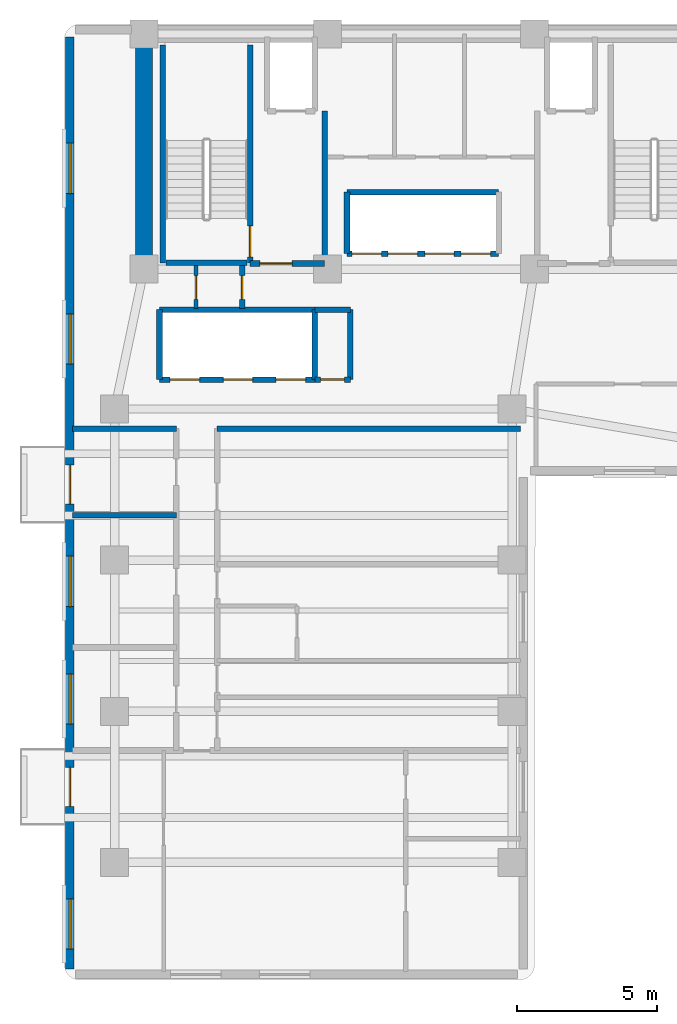
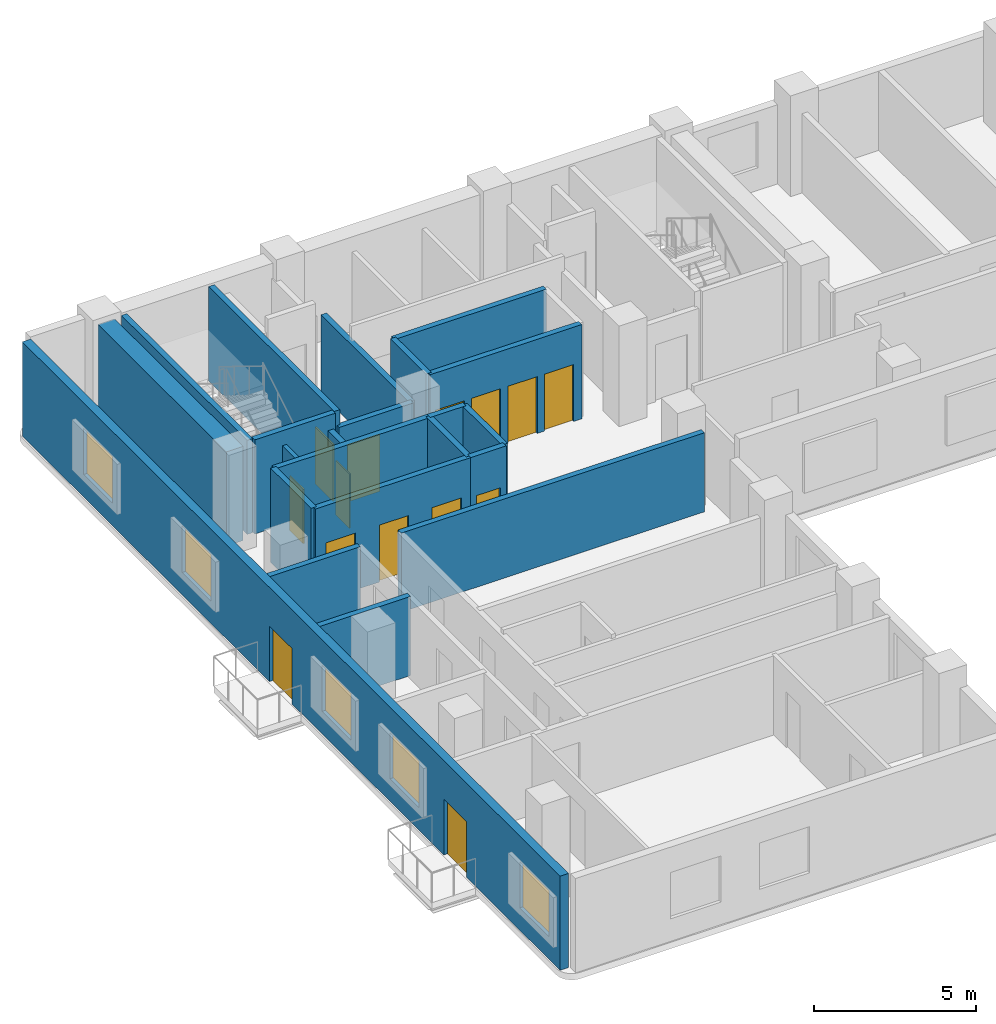
# One storey, part 3 of 7: 22 walls, 14 doors, 5 windows, 19 openings.
"""IFC4 building model written with IfcOpenShell, lengths in metres."""

import ifcopenshell
import ifcopenshell.guid

model = None  # the IFC model being written
_history = None  # IfcOwnerHistory: only IFC2X3 demands one
_inside = {}  # id of a spatial element -> (the spatial element, [elements in it])
_under = {}  # id of a project, library or spatial element -> (it, [spatial elements below it])
_declared = {}  # id of a project -> (the project, [libraries it declares])
_typed = {}  # id of a type object -> (the type object, [elements of that type])
_made_of = {}  # id of a material, layer set ... -> (it, [elements and type objects made of it])


def new_model(schema):
    """Start an empty IFC model of exactly this schema.

    Asked for "IFC4X3", IfcOpenShell would pick the latest addendum, in which some entities
    have other attributes; the version numbers below select the first issue.
    IFC2X3 requires an IfcOwnerHistory on every rooted entity: one is made here for all.
    """
    global model, _history
    if schema == "IFC4X3":
        model = ifcopenshell.file(schema_version=(4, 3, 0, 0))
    else:
        model = ifcopenshell.file(schema=schema)
    _inside.clear()
    _under.clear()
    _declared.clear()
    _typed.clear()
    _made_of.clear()
    _history = None
    if model.schema == "IFC2X3":
        org = make("IfcOrganization", Name="unknown")
        user = make(
            "IfcPersonAndOrganization",
            ThePerson=make("IfcPerson", FamilyName="unknown"),
            TheOrganization=org,
        )
        app = make(
            "IfcApplication",
            ApplicationDeveloper=org,
            Version="unknown",
            ApplicationFullName="unknown",
            ApplicationIdentifier="unknown",
        )
        _history = make(
            "IfcOwnerHistory",
            OwningUser=user,
            OwningApplication=app,
            ChangeAction="ADDED",
            CreationDate=0,
        )
    return model


def make(cls, **values):
    """One entity of the class cls with the attributes given. An attribute that is None is left unset."""
    return model.create_entity(
        cls, **{name: value for name, value in values.items() if value is not None}
    )


def rooted(cls, **values):
    """An entity with a GlobalId (a new one), such as an element, a storey or a relation."""
    return make(cls, GlobalId=ifcopenshell.guid.new(), OwnerHistory=_history, **values)


def si_unit(unit_type, name, prefix=None):
    """IfcSIUnit, for example si_unit("LENGTHUNIT", "METRE", prefix="MILLI")."""
    return make("IfcSIUnit", UnitType=unit_type, Prefix=prefix, Name=name)


def assignment(units):
    """IfcUnitAssignment: the units of a project."""
    return None if units is None else make("IfcUnitAssignment", Units=units)


def point(xyz):
    """IfcCartesianPoint."""
    return None if xyz is None else make("IfcCartesianPoint", Coordinates=xyz)


def direction(xyz):
    """IfcDirection."""
    return None if xyz is None else make("IfcDirection", DirectionRatios=xyz)


def frame(location, z_axis=None, x_axis=None):
    """IfcAxis2Placement3D, a coordinate frame: its origin and axes. An axis left out is left unset."""
    return make(
        "IfcAxis2Placement3D",
        Location=point(location),
        Axis=direction(z_axis),
        RefDirection=direction(x_axis),
    )


def frame_2d(location, x_axis=None):
    """IfcAxis2Placement2D, a coordinate frame in the plane: its origin and x axis."""
    return make(
        "IfcAxis2Placement2D", Location=point(location), RefDirection=direction(x_axis)
    )


def origin():
    """The frame at (0, 0, 0) with its axes left unset."""
    return frame((0.0, 0.0, 0.0))


def place(relative_to, where):
    """IfcLocalPlacement: puts the frame where relative to a parent placement (None: the world)."""
    return make(
        "IfcLocalPlacement", PlacementRelTo=relative_to, RelativePlacement=where
    )


def context(
    kind, dimensions, precision=None, world=None, true_north=None, identifier=None
):
    """IfcGeometricRepresentationContext, for example the 3D "Model" context."""
    return make(
        "IfcGeometricRepresentationContext",
        ContextIdentifier=identifier,
        ContextType=kind,
        CoordinateSpaceDimension=dimensions,
        Precision=precision,
        WorldCoordinateSystem=world,
        TrueNorth=true_north,
    )


def subcontext(parent, identifier, kind, view, scale=None):
    """IfcGeometricRepresentationSubContext, for example "Body" below "Model"."""
    return make(
        "IfcGeometricRepresentationSubContext",
        ContextIdentifier=identifier,
        ContextType=kind,
        ParentContext=parent,
        TargetScale=scale,
        TargetView=view,
    )


def project(units=None, contexts=None):
    """IfcProject with its units and contexts."""
    return rooted(
        "IfcProject",
        Name="project",
        RepresentationContexts=contexts,
        UnitsInContext=assignment(units),
    )


def spatial(cls, under=None, at=None, **own):
    """A site, building, storey or space (cls), placed at a placement, below another one or the project."""
    s = rooted(cls, ObjectPlacement=at, **own)
    if under is not None:
        _under.setdefault(under.id(), (under, []))[1].append(s)
    return s


def profile(cls, at=None, kind="AREA", **sizes):
    """A parametric profile (cls). Its sizes go by their IFC names, for example OverallWidth=200.0."""
    return make(cls, ProfileType=kind, Position=at, **sizes)


def rectangle(**sizes):
    """IfcRectangleProfileDef."""
    return profile("IfcRectangleProfileDef", **sizes)


def extrude(swept, where, along, depth):
    """IfcExtrudedAreaSolid: the profile swept, set in the frame where, extruded along a direction by depth."""
    return make(
        "IfcExtrudedAreaSolid",
        SweptArea=swept,
        Position=where,
        ExtrudedDirection=direction(along),
        Depth=depth,
    )


def shape(context_of_items, identifier, shape_type, items):
    """IfcShapeRepresentation: the items that make up one representation, for example the "Body"."""
    return make(
        "IfcShapeRepresentation",
        ContextOfItems=context_of_items,
        RepresentationIdentifier=identifier,
        RepresentationType=shape_type,
        Items=items,
    )


def material(Name=None, Category=None):
    """IfcMaterial."""
    return make("IfcMaterial", Name=Name, Category=Category)


def layer(
    of_material, thickness, ventilated=None, Name=None, Category=None, Priority=None
):
    """IfcMaterialLayer: one layer of a wall or slab, of a material (None: an air gap)."""
    return make(
        "IfcMaterialLayer",
        Material=of_material,
        LayerThickness=thickness,
        IsVentilated=ventilated,
        Name=Name,
        Category=Category,
        Priority=Priority,
    )


def layer_set(layers, Name=None):
    """IfcMaterialLayerSet."""
    return make("IfcMaterialLayerSet", MaterialLayers=layers, LayerSetName=Name)


def made_of(thing, what):
    """Note that an element or type object is made of a material, layer set ...; save() writes the relation."""
    if what is not None:
        _made_of.setdefault(what.id(), (what, []))[1].append(thing)
    return thing


def type_object(cls, material=None, **own):
    """A type object (cls), such as IfcWallType, which elements share."""
    return made_of(rooted(cls, **own), material)


def element(
    cls,
    number,
    at=None,
    inside=None,
    cuts=None,
    type_object=None,
    material=None,
    context=None,
    identifier="Body",
    shape_type=None,
    held_by="IfcProductDefinitionShape",
    body=None,
    shapes=None,
    **own,
):
    """One element of the class cls, such as IfcWall. Its Tag is "e" and its number.

    at: its placement. inside: the storey or other place that contains it. cuts: it is an
    opening in that element (IfcRelVoidsElement). A single representation is given by context,
    identifier, shape_type and body (its items); several are given by shapes. held_by: the class
    of the entity that holds the representations. save() writes the other relations.
    """
    e = rooted(cls, Tag="e%d" % number, ObjectPlacement=at, **own)
    if body is not None:
        shapes = [shape(context, identifier, shape_type, body)]
    if shapes is not None:
        e.Representation = make(held_by, Representations=shapes)
    if inside is not None:
        _inside.setdefault(inside.id(), (inside, []))[1].append(e)
    if cuts is not None:
        rooted(
            "IfcRelVoidsElement", RelatingBuildingElement=cuts, RelatedOpeningElement=e
        )
    if type_object is not None:
        _typed.setdefault(type_object.id(), (type_object, []))[1].append(e)
    return made_of(e, material)


def fill(opening, filler):
    """IfcRelFillsElement: the door or window that sits in an opening."""
    return rooted(
        "IfcRelFillsElement",
        RelatingOpeningElement=opening,
        RelatedBuildingElement=filler,
    )


def aggregate(whole, parts):
    """IfcRelAggregates: a whole, such as a stair, and the parts it consists of."""
    return rooted("IfcRelAggregates", RelatingObject=whole, RelatedObjects=parts)


def save(model, path):
    """Write the relations noted so far, then the file.

    IfcRelAggregates (storeys below a building ...), IfcRelContainedInSpatialStructure (elements
    in a storey), IfcRelDefinesByType, IfcRelAssociatesMaterial and IfcRelDeclares: one each for
    every whole, place, type object, material and project.
    """
    for whole, parts in _under.values():
        aggregate(whole, parts)
    for where, things in _inside.values():
        rooted(
            "IfcRelContainedInSpatialStructure",
            RelatedElements=things,
            RelatingStructure=where,
        )
    for kind, things in _typed.values():
        rooted("IfcRelDefinesByType", RelatedObjects=things, RelatingType=kind)
    for what, things in _made_of.values():
        rooted("IfcRelAssociatesMaterial", RelatedObjects=things, RelatingMaterial=what)
    for by, libraries in _declared.values():
        rooted("IfcRelDeclares", RelatingContext=by, RelatedDefinitions=libraries)
    model.write(path)


model = new_model("IFC4")

# Units and contexts
model_context = context("Model", 3, precision=1e-05, world=origin(), true_north=direction((0.0, 1.0)))
body_context = subcontext(model_context, "Body", "Model", "MODEL_VIEW")
ifc_project = project(units=[si_unit("LENGTHUNIT", "METRE"), si_unit("AREAUNIT", "SQUARE_METRE"), si_unit("VOLUMEUNIT", "CUBIC_METRE"), si_unit("PLANEANGLEUNIT", "RADIAN"), si_unit("MASSUNIT", "GRAM", prefix="KILO")], contexts=[model_context])

# Site, building, storey
site_placement = place(None, origin())
site = spatial("IfcSite", under=ifc_project, at=site_placement, CompositionType="ELEMENT")
building_placement = place(site_placement, origin())
building = spatial("IfcBuilding", under=site, at=building_placement, Name="Kuzgunbayir Cultural Tower", CompositionType="ELEMENT")
storey_placement = place(building_placement, frame((0.0, 0.0, 152.199951171875)))
storey = spatial("IfcBuildingStorey", under=building, at=storey_placement, Name="L44", CompositionType="ELEMENT", Elevation=152.199951171875)

# Wall
ifc_material_1 = material(Name="Concrete C60/75", Category="concrete")
ifc_layer_1 = layer(ifc_material_1, 0.60009765625)
ifc_layer_set_1 = layer_set([ifc_layer_1], Name="Concrete C60/75")
wall_type_1 = type_object("IfcWallType", Name="WAL-CORE-600", PredefinedType="SHEAR", material=ifc_layer_set_1)
wall_1_placement = place(storey_placement, frame((6.449951171875, 33.800048828125, 0.0), z_axis=(0.0, 0.0, 1.0), x_axis=(0.0, 1.0, 0.0)))
element("IfcWall", 1, at=wall_1_placement, inside=storey, type_object=wall_type_1, Name="L44 T1 Core West Shear Wall", PredefinedType="SHEAR", context=body_context, shape_type="SweptSolid", body=[
    extrude(rectangle(XDim=7.949951171875, YDim=0.60009765625, at=frame_2d((3.97509765625, 0.0))), origin(), (0.0, 0.0, 1.0), 3.56005859375),
])

# Wall, openings, doors, windows
ifc_material_2 = material(Name="Anatolian Cream Limestone", Category="masonry")
ifc_layer_2 = layer(ifc_material_2, 0.300048828125)
ifc_layer_set_2 = layer_set([ifc_layer_2], Name="Anatolian Cream Limestone")
wall_type_2 = type_object("IfcWallType", Name="WAL-EXT-STONE-300", PredefinedType="STANDARD", material=ifc_layer_set_2)
wall_2_placement = place(storey_placement, frame((3.800048828125, 42.10009765625, 0.0), z_axis=(0.0, 0.0, 1.0), x_axis=(0.0, -1.0, 0.0)))
wall_2 = element("IfcWall", 2, at=wall_2_placement, inside=storey, type_object=wall_type_2, Name="L44 Wing A West Limestone Wall", PredefinedType="STANDARD", context=body_context, shape_type="SweptSolid", body=[
    extrude(rectangle(XDim=33.300048828125, YDim=0.300048828125, at=frame_2d((16.64990234375, 0.0))), origin(), (0.0, 0.0, 1.0), 3.56005859375),
])
opening_1_placement = place(wall_2_placement, frame((26.10009765625, 0.0, 0.0)))
opening_1 = element("IfcOpeningElement", 3, at=opening_1_placement, cuts=wall_2, Name="Opening BD-15", PredefinedType="OPENING", context=body_context, shape_type="SweptSolid", body=[
    extrude(rectangle(XDim=1.39990234375, YDim=2.10009765625, at=frame_2d((0.699951171875, 1.050048828125))), frame((0.0, 0.16015625, 0.0), z_axis=(0.0, -1.0, 0.0), x_axis=(1.0, 0.0, 0.0)), (0.0, 0.0, 1.0), 0.320068359375),
])
opening_2_placement = place(wall_2_placement, frame((15.300048828125, 0.0, 0.0)))
opening_2 = element("IfcOpeningElement", 4, at=opening_2_placement, cuts=wall_2, Name="Opening BD-15", PredefinedType="OPENING", context=body_context, shape_type="SweptSolid", body=[
    extrude(rectangle(XDim=1.39990234375, YDim=2.10009765625, at=frame_2d((0.699951171875, 1.050048828125))), frame((0.0, 0.16015625, 0.0), z_axis=(0.0, -1.0, 0.0), x_axis=(1.0, 0.0, 0.0)), (0.0, 0.0, 1.0), 0.320068359375),
])
opening_3_placement = place(wall_2_placement, frame((22.760009765625, 0.0, 0.85009765625)))
opening_3 = element("IfcOpeningElement", 5, at=opening_3_placement, cuts=wall_2, Name="Opening WH-18", PredefinedType="OPENING", context=body_context, shape_type="SweptSolid", body=[
    extrude(rectangle(XDim=1.800048828125, YDim=1.75, at=frame_2d((0.89990234375, 0.875))), frame((0.0, 0.16015625, 0.0), z_axis=(0.0, -1.0, 0.0), x_axis=(1.0, 0.0, 0.0)), (0.0, 0.0, 1.0), 0.320068359375),
])
opening_4_placement = place(wall_2_placement, frame((18.56005859375, 0.0, 0.85009765625)))
opening_4 = element("IfcOpeningElement", 6, at=opening_4_placement, cuts=wall_2, Name="Opening WH-18", PredefinedType="OPENING", context=body_context, shape_type="SweptSolid", body=[
    extrude(rectangle(XDim=1.800048828125, YDim=1.75, at=frame_2d((0.89990234375, 0.875))), frame((0.0, 0.16015625, 0.0), z_axis=(0.0, -1.0, 0.0), x_axis=(1.0, 0.0, 0.0)), (0.0, 0.0, 1.0), 0.320068359375),
])
opening_5_placement = place(wall_2_placement, frame((30.800048828125, 0.0, 0.85009765625)))
opening_5 = element("IfcOpeningElement", 7, at=opening_5_placement, cuts=wall_2, Name="Opening WH-18", PredefinedType="OPENING", context=body_context, shape_type="SweptSolid", body=[
    extrude(rectangle(XDim=1.800048828125, YDim=1.75, at=frame_2d((0.89990234375, 0.875))), frame((0.0, 0.16015625, 0.0), z_axis=(0.0, -1.0, 0.0), x_axis=(1.0, 0.0, 0.0)), (0.0, 0.0, 1.0), 0.320068359375),
])
opening_6_placement = place(wall_2_placement, frame((9.89990234375, 0.0, 0.85009765625)))
opening_6 = element("IfcOpeningElement", 8, at=opening_6_placement, cuts=wall_2, Name="Opening WH-18", PredefinedType="OPENING", context=body_context, shape_type="SweptSolid", body=[
    extrude(rectangle(XDim=1.800048828125, YDim=1.75, at=frame_2d((0.89990234375, 0.875))), frame((0.0, 0.16015625, 0.0), z_axis=(0.0, -1.0, 0.0), x_axis=(1.0, 0.0, 0.0)), (0.0, 0.0, 1.0), 0.320068359375),
])
opening_7_placement = place(wall_2_placement, frame((3.800048828125, 0.0, 0.85009765625)))
opening_7 = element("IfcOpeningElement", 9, at=opening_7_placement, cuts=wall_2, Name="Opening WH-18", PredefinedType="OPENING", context=body_context, shape_type="SweptSolid", body=[
    extrude(rectangle(XDim=1.800048828125, YDim=1.75, at=frame_2d((0.89990234375, 0.875))), frame((0.0, 0.16015625, 0.0), z_axis=(0.0, -1.0, 0.0), x_axis=(1.0, 0.0, 0.0)), (0.0, 0.0, 1.0), 0.320068359375),
])
ifc_material_3 = material(Name="Thermally Broken Glazed Aluminium", Category="aluminium")
door_type_1 = type_object("IfcDoorType", Name="DR-BALCONY-150", OperationType="SLIDING_TO_RIGHT", PredefinedType="DOOR", material=ifc_material_3)
door_1_placement = place(opening_1_placement, origin())
door_1 = element("IfcDoor", 10, at=door_1_placement, inside=storey, type_object=door_type_1, Name="L44 West Balcony Sliding Door BAL-L44-WA1", OperationType="SLIDING_TO_RIGHT", OverallHeight=2.10009765625, OverallWidth=1.39990234375, PredefinedType="DOOR", context=body_context, shape_type="SweptSolid", body=[
    extrude(rectangle(XDim=1.39990234375, YDim=2.10009765625, at=frame_2d((0.699951171875, 1.050048828125))), frame((0.0, 0.02490234375, 0.0), z_axis=(0.0, -1.0, 0.0), x_axis=(1.0, 0.0, 0.0)), (0.0, 0.0, 1.0), 0.050048828125),
])
fill(opening_1, door_1)
door_2_placement = place(opening_2_placement, origin())
door_2 = element("IfcDoor", 11, at=door_2_placement, inside=storey, type_object=door_type_1, Name="L44 West Balcony Sliding Door BAL-L44-WA3", OperationType="SLIDING_TO_RIGHT", OverallHeight=2.10009765625, OverallWidth=1.39990234375, PredefinedType="DOOR", context=body_context, shape_type="SweptSolid", body=[
    extrude(rectangle(XDim=1.39990234375, YDim=2.10009765625, at=frame_2d((0.699951171875, 1.050048828125))), frame((0.0, 0.02490234375, 0.0), z_axis=(0.0, -1.0, 0.0), x_axis=(1.0, 0.0, 0.0)), (0.0, 0.0, 1.0), 0.050048828125),
])
fill(opening_2, door_2)
ifc_material_4 = material(Name="Solar-Control Triple Glazing", Category="glass")
window_type = type_object("IfcWindowType", Name="WIN-HOTEL-18", PartitioningType="SINGLE_PANEL", PredefinedType="WINDOW", material=ifc_material_4)
window_1_placement = place(opening_3_placement, origin())
window_1 = element("IfcWindow", 12, at=window_1_placement, inside=storey, type_object=window_type, Name="L44 WAW Facade Window 2", OverallHeight=1.75, OverallWidth=1.800048828125, PartitioningType="SINGLE_PANEL", PredefinedType="WINDOW", context=body_context, shape_type="SweptSolid", body=[
    extrude(rectangle(XDim=1.800048828125, YDim=1.75, at=frame_2d((0.89990234375, 0.875))), frame((0.0, 0.030029296875, 0.0), z_axis=(0.0, -1.0, 0.0), x_axis=(1.0, 0.0, 0.0)), (0.0, 0.0, 1.0), 0.06005859375),
])
fill(opening_3, window_1)
window_2_placement = place(opening_4_placement, origin())
window_2 = element("IfcWindow", 13, at=window_2_placement, inside=storey, type_object=window_type, Name="L44 WAW Facade Window 3", OverallHeight=1.75, OverallWidth=1.800048828125, PartitioningType="SINGLE_PANEL", PredefinedType="WINDOW", context=body_context, shape_type="SweptSolid", body=[
    extrude(rectangle(XDim=1.800048828125, YDim=1.75, at=frame_2d((0.89990234375, 0.875))), frame((0.0, 0.030029296875, 0.0), z_axis=(0.0, -1.0, 0.0), x_axis=(1.0, 0.0, 0.0)), (0.0, 0.0, 1.0), 0.06005859375),
])
fill(opening_4, window_2)
window_3_placement = place(opening_5_placement, origin())
window_3 = element("IfcWindow", 14, at=window_3_placement, inside=storey, type_object=window_type, Name="L44 WAW Facade Window 9", OverallHeight=1.75, OverallWidth=1.800048828125, PartitioningType="SINGLE_PANEL", PredefinedType="WINDOW", context=body_context, shape_type="SweptSolid", body=[
    extrude(rectangle(XDim=1.800048828125, YDim=1.75, at=frame_2d((0.89990234375, 0.875))), frame((0.0, 0.030029296875, 0.0), z_axis=(0.0, -1.0, 0.0), x_axis=(1.0, 0.0, 0.0)), (0.0, 0.0, 1.0), 0.06005859375),
])
fill(opening_5, window_3)
window_4_placement = place(opening_6_placement, origin())
window_4 = element("IfcWindow", 15, at=window_4_placement, inside=storey, type_object=window_type, Name="L44 WAW Facade Window 10", OverallHeight=1.75, OverallWidth=1.800048828125, PartitioningType="SINGLE_PANEL", PredefinedType="WINDOW", context=body_context, shape_type="SweptSolid", body=[
    extrude(rectangle(XDim=1.800048828125, YDim=1.75, at=frame_2d((0.89990234375, 0.875))), frame((0.0, 0.030029296875, 0.0), z_axis=(0.0, -1.0, 0.0), x_axis=(1.0, 0.0, 0.0)), (0.0, 0.0, 1.0), 0.06005859375),
])
fill(opening_6, window_4)
window_5_placement = place(opening_7_placement, origin())
window_5 = element("IfcWindow", 16, at=window_5_placement, inside=storey, type_object=window_type, Name="L44 WAW Facade Window 11", OverallHeight=1.75, OverallWidth=1.800048828125, PartitioningType="SINGLE_PANEL", PredefinedType="WINDOW", context=body_context, shape_type="SweptSolid", body=[
    extrude(rectangle(XDim=1.800048828125, YDim=1.75, at=frame_2d((0.89990234375, 0.875))), frame((0.0, 0.030029296875, 0.0), z_axis=(0.0, -1.0, 0.0), x_axis=(1.0, 0.0, 0.0)), (0.0, 0.0, 1.0), 0.06005859375),
])
fill(opening_7, window_5)

# Wall, opening, door
ifc_material_5 = material(Name="Acoustic Double-Stud Drywall", Category="gypsum")
ifc_layer_3 = layer(ifc_material_5, 0.14990234375)
ifc_layer_set_3 = layer_set([ifc_layer_3], Name="Acoustic Double-Stud Drywall")
wall_type_3 = type_object("IfcWallType", Name="WAL-PART-ACOUSTIC-150", PredefinedType="PARTITIONING", material=ifc_layer_set_3)
wall_3_placement = place(storey_placement, frame((8.300048828125, 32.39990234375, 0.0), z_axis=(0.0, 0.0, 1.0), x_axis=(0.0, 1.0, 0.0)))
wall_3 = element("IfcWall", 17, at=wall_3_placement, inside=storey, type_object=wall_type_3, Name="L44 West Core Closet Divider", PredefinedType="PARTITIONING", context=body_context, shape_type="SweptSolid", body=[
    extrude(rectangle(XDim=1.52001953125, YDim=0.14990234375, at=frame_2d((0.760009765625, 0.0))), origin(), (0.0, 0.0, 1.0), 2.989990234375),
])
opening_8_placement = place(wall_3_placement, frame((0.320068359375, 0.0, 0.0)))
opening_8 = element("IfcOpeningElement", 18, at=opening_8_placement, cuts=wall_3, Name="Opening DR-RSR-60", PredefinedType="OPENING", context=body_context, shape_type="SweptSolid", body=[
    extrude(rectangle(XDim=0.85009765625, YDim=2.050048828125, at=frame_2d((0.425048828125, 1.02490234375))), frame((0.0, 0.0849609375, 0.0), z_axis=(0.0, -1.0, 0.0), x_axis=(1.0, 0.0, 0.0)), (0.0, 0.0, 1.0), 0.169921875),
])
ifc_material_6 = material(Name="Steel Access Leaf", Category="steel")
door_type_2 = type_object("IfcDoorType", Name="DR-RISER-60", OperationType="NOTDEFINED", PredefinedType="DOOR", material=ifc_material_6)
door_3_placement = place(opening_8_placement, origin())
door_3 = element("IfcDoor", 19, at=door_3_placement, inside=storey, type_object=door_type_2, Name="L44 Sub-Meter Closet Door", OperationType="SINGLE_SWING_RIGHT", OverallHeight=2.050048828125, OverallWidth=0.85009765625, PredefinedType="DOOR", context=body_context, shape_type="SweptSolid", body=[
    extrude(rectangle(XDim=0.85009765625, YDim=2.050048828125, at=frame_2d((0.425048828125, 1.02490234375))), frame((0.0, 0.02490234375, 0.0), z_axis=(0.0, -1.0, 0.0), x_axis=(1.0, 0.0, 0.0)), (0.0, 0.0, 1.0), 0.050048828125),
])
fill(opening_8, door_3)

# Wall
ifc_material_7 = material(Name="Aerated Concrete Blockwork", Category="masonry")
ifc_layer_4 = layer(ifc_material_7, 0.199951171875)
ifc_layer_set_4 = layer_set([ifc_layer_4], Name="Aerated Concrete Blockwork")
wall_type_4 = type_object("IfcWallType", Name="WAL-PART-FIRE-200", PredefinedType="PARTITIONING", material=ifc_layer_set_4)
wall_4_placement = place(storey_placement, frame((12.89990234375, 34.0, 0.0), z_axis=(0.0, 0.0, 1.0), x_axis=(0.0, 1.0, 0.0)))
element("IfcWall", 20, at=wall_4_placement, inside=storey, type_object=wall_type_4, Name="L44 FFL-1 Lobby East Fire Wall", PredefinedType="PARTITIONING", context=body_context, shape_type="SweptSolid", body=[
    extrude(rectangle(XDim=5.449951171875, YDim=0.199951171875, at=frame_2d((2.72509765625, 0.0))), origin(), (0.0, 0.0, 1.0), 2.989990234375),
])

# Wall, opening, door
wall_5_placement = place(storey_placement, frame((10.239990234375, 34.0, 0.0), z_axis=(0.0, 0.0, 1.0), x_axis=(1.0, 0.0, 0.0)))
wall_5 = element("IfcWall", 21, at=wall_5_placement, inside=storey, type_object=wall_type_4, Name="L44 FFL-1 Lobby South Fire Wall", PredefinedType="PARTITIONING", context=body_context, shape_type="SweptSolid", body=[
    extrude(rectangle(XDim=2.659912109375, YDim=0.199951171875, at=frame_2d((1.330078125, 0.0))), origin(), (0.0, 0.0, 1.0), 2.989990234375),
])
opening_9_placement = place(wall_5_placement, frame((0.35009765625, 0.0, 0.0)))
opening_9 = element("IfcOpeningElement", 22, at=opening_9_placement, cuts=wall_5, Name="Opening DR-FFL-90", PredefinedType="OPENING", context=body_context, shape_type="SweptSolid", body=[
    extrude(rectangle(XDim=1.14990234375, YDim=2.14990234375, at=frame_2d((0.574951171875, 1.074951171875))), frame((0.0, 0.10986328125, 0.0), z_axis=(0.0, -1.0, 0.0), x_axis=(1.0, 0.0, 0.0)), (0.0, 0.0, 1.0), 0.219970703125),
])
ifc_material_8 = material(Name="Steel S355J2", Category="steel")
door_type_3 = type_object("IfcDoorType", Name="DR-FFL-90", OperationType="NOTDEFINED", PredefinedType="DOOR", material=ifc_material_8)
door_4_placement = place(opening_9_placement, origin())
door_4 = element("IfcDoor", 23, at=door_4_placement, inside=storey, type_object=door_type_3, Name="L44 Firefighting Lobby 1 Door", OperationType="SINGLE_SWING_LEFT", OverallHeight=2.14990234375, OverallWidth=1.14990234375, PredefinedType="DOOR", context=body_context, shape_type="SweptSolid", body=[
    extrude(rectangle(XDim=1.14990234375, YDim=2.14990234375, at=frame_2d((0.574951171875, 1.074951171875))), frame((0.0, 0.02490234375, 0.0), z_axis=(0.0, -1.0, 0.0), x_axis=(1.0, 0.0, 0.0)), (0.0, 0.0, 1.0), 0.050048828125),
])
fill(opening_9, door_4)

wall_6_placement = place(storey_placement, frame((9.949951171875, 32.39990234375, 0.0), z_axis=(0.0, 0.0, 1.0), x_axis=(0.0, 1.0, 0.0)))
wall_6 = element("IfcWall", 24, at=wall_6_placement, inside=storey, type_object=wall_type_4, Name="L44 West Core Service Closet Wall", PredefinedType="PARTITIONING", context=body_context, shape_type="SweptSolid", body=[
    extrude(rectangle(XDim=1.52001953125, YDim=0.199951171875, at=frame_2d((0.760009765625, 0.0))), origin(), (0.0, 0.0, 1.0), 2.989990234375),
])
opening_10_placement = place(wall_6_placement, frame((0.320068359375, 0.0, 0.0)))
opening_10 = element("IfcOpeningElement", 25, at=opening_10_placement, cuts=wall_6, Name="Opening DR-RSR-60", PredefinedType="OPENING", context=body_context, shape_type="SweptSolid", body=[
    extrude(rectangle(XDim=0.85009765625, YDim=2.050048828125, at=frame_2d((0.425048828125, 1.02490234375))), frame((0.0, 0.10986328125, 0.0), z_axis=(0.0, -1.0, 0.0), x_axis=(1.0, 0.0, 0.0)), (0.0, 0.0, 1.0), 0.219970703125),
])
door_5_placement = place(opening_10_placement, origin())
door_5 = element("IfcDoor", 26, at=door_5_placement, inside=storey, type_object=door_type_2, Name="L44 Cleaner Store Door", OperationType="SINGLE_SWING_LEFT", OverallHeight=2.050048828125, OverallWidth=0.85009765625, PredefinedType="DOOR", context=body_context, shape_type="SweptSolid", body=[
    extrude(rectangle(XDim=0.85009765625, YDim=2.050048828125, at=frame_2d((0.425048828125, 1.02490234375))), frame((0.0, 0.02490234375, 0.0), z_axis=(0.0, -1.0, 0.0), x_axis=(1.0, 0.0, 0.0)), (0.0, 0.0, 1.0), 0.050048828125),
])
fill(opening_10, door_5)

wall_7_placement = place(storey_placement, frame((12.550048828125, 29.85009765625, 0.0), z_axis=(0.0, 0.0, 1.0), x_axis=(1.0, 0.0, 0.0)))
wall_7 = element("IfcWall", 27, at=wall_7_placement, inside=storey, type_object=wall_type_4, Name="L44 Center Core Switchgear South Wall", PredefinedType="PARTITIONING", context=body_context, shape_type="SweptSolid", body=[
    extrude(rectangle(XDim=1.27001953125, YDim=0.199951171875, at=frame_2d((0.635009765625, 0.0))), origin(), (0.0, 0.0, 1.0), 3.56005859375),
])
opening_11_placement = place(wall_7_placement, frame((0.2099609375, 0.0, 0.0)))
opening_11 = element("IfcOpeningElement", 28, at=opening_11_placement, cuts=wall_7, Name="Opening DR-RSR-60", PredefinedType="OPENING", context=body_context, shape_type="SweptSolid", body=[
    extrude(rectangle(XDim=0.85009765625, YDim=2.050048828125, at=frame_2d((0.425048828125, 1.02490234375))), frame((0.0, 0.10986328125, 0.0), z_axis=(0.0, -1.0, 0.0), x_axis=(1.0, 0.0, 0.0)), (0.0, 0.0, 1.0), 0.219970703125),
])
door_6_placement = place(opening_11_placement, origin())
door_6 = element("IfcDoor", 29, at=door_6_placement, inside=storey, type_object=door_type_2, Name="L44 Telecom Closet Door", OperationType="SINGLE_SWING_LEFT", OverallHeight=2.050048828125, OverallWidth=0.85009765625, PredefinedType="DOOR", context=body_context, shape_type="SweptSolid", body=[
    extrude(rectangle(XDim=0.85009765625, YDim=2.050048828125, at=frame_2d((0.425048828125, 1.02490234375))), frame((0.0, 0.02490234375, 0.0), z_axis=(0.0, -1.0, 0.0), x_axis=(1.0, 0.0, 0.0)), (0.0, 0.0, 1.0), 0.050048828125),
])
fill(opening_11, door_6)

# Walls
wall_8_placement = place(storey_placement, frame((13.820068359375, 29.85009765625, 0.0), z_axis=(0.0, 0.0, 1.0), x_axis=(0.0, 1.0, 0.0)))
element("IfcWall", 30, at=wall_8_placement, inside=storey, type_object=wall_type_4, Name="L44 Center Core Switchgear East Wall", PredefinedType="PARTITIONING", context=body_context, shape_type="SweptSolid", body=[
    extrude(rectangle(XDim=2.5, YDim=0.199951171875, at=frame_2d((1.25, 0.0))), origin(), (0.0, 0.0, 1.0), 3.56005859375),
])
wall_9_placement = place(storey_placement, frame((12.550048828125, 32.35009765625, 0.0), z_axis=(0.0, 0.0, 1.0), x_axis=(1.0, 0.0, 0.0)))
element("IfcWall", 31, at=wall_9_placement, inside=storey, type_object=wall_type_4, Name="L44 Center Core Switchgear North Wall", PredefinedType="PARTITIONING", context=body_context, shape_type="SweptSolid", body=[
    extrude(rectangle(XDim=1.27001953125, YDim=0.199951171875, at=frame_2d((0.635009765625, 0.0))), origin(), (0.0, 0.0, 1.0), 3.56005859375),
])
wall_10_placement = place(storey_placement, frame((3.89990234375, 28.10009765625, 0.0), z_axis=(0.0, 0.0, 1.0), x_axis=(1.0, 0.0, 0.0)))
element("IfcWall", 32, at=wall_10_placement, inside=storey, type_object=wall_type_4, Name="L44 North West Partition", PredefinedType="PARTITIONING", context=body_context, shape_type="SweptSolid", body=[
    extrude(rectangle(XDim=3.7001953125, YDim=0.199951171875, at=frame_2d((1.85009765625, 0.0))), origin(), (0.0, 0.0, 1.0), 2.989990234375),
])
wall_11_placement = place(storey_placement, frame((9.06005859375, 28.10009765625, 0.0), z_axis=(0.0, 0.0, 1.0), x_axis=(1.0, 0.0, 0.0)))
element("IfcWall", 33, at=wall_11_placement, inside=storey, type_object=wall_type_4, Name="L44 North East Partition", PredefinedType="PARTITIONING", context=body_context, shape_type="SweptSolid", body=[
    extrude(rectangle(XDim=10.83984375, YDim=0.199951171875, at=frame_2d((5.419921875, 0.0))), origin(), (0.0, 0.0, 1.0), 2.989990234375),
])
wall_12_placement = place(storey_placement, frame((3.89990234375, 25.0, 0.0), z_axis=(0.0, 0.0, 1.0), x_axis=(1.0, 0.0, 0.0)))
element("IfcWall", 34, at=wall_12_placement, inside=storey, type_object=wall_type_4, Name="L44 West Party Wall 2", PredefinedType="PARTITIONING", context=body_context, shape_type="SweptSolid", body=[
    extrude(rectangle(XDim=3.7001953125, YDim=0.199951171875, at=frame_2d((1.85009765625, 0.0))), origin(), (0.0, 0.0, 1.0), 2.989990234375),
])

# Wall, openings, doors
ifc_material_9 = material(Name="Concrete C40/50", Category="concrete")
ifc_layer_5 = layer(ifc_material_9, 0.199951171875)
ifc_layer_set_5 = layer_set([ifc_layer_5], Name="Concrete C40/50")
wall_type_5 = type_object("IfcWallType", Name="WAL-SHAFT-200", PredefinedType="MOVABLE", material=ifc_layer_set_5)
wall_13_placement = place(storey_placement, frame((7.0, 29.85009765625, 0.0), z_axis=(0.0, 0.0, 1.0), x_axis=(1.0, 0.0, 0.0)))
wall_13 = element("IfcWall", 35, at=wall_13_placement, inside=storey, type_object=wall_type_5, Name="L44 High-Rise Lift Shaft South Wall", PredefinedType="MOVABLE", context=body_context, shape_type="SweptSolid", body=[
    extrude(rectangle(XDim=5.550048828125, YDim=0.199951171875, at=frame_2d((2.77490234375, 0.0))), origin(), (0.0, 0.0, 1.0), 3.56005859375),
])
opening_12_placement = place(wall_13_placement, frame((0.3798828125, 0.0, 0.0)))
opening_12 = element("IfcOpeningElement", 36, at=opening_12_placement, cuts=wall_13, Name="Opening LD", PredefinedType="OPENING", context=body_context, shape_type="SweptSolid", body=[
    extrude(rectangle(XDim=1.050048828125, YDim=2.14990234375, at=frame_2d((0.52490234375, 1.074951171875))), frame((0.0, 0.10986328125, 0.0), z_axis=(0.0, -1.0, 0.0), x_axis=(1.0, 0.0, 0.0)), (0.0, 0.0, 1.0), 0.219970703125),
])
opening_13_placement = place(wall_13_placement, frame((2.280029296875, 0.0, 0.0)))
opening_13 = element("IfcOpeningElement", 37, at=opening_13_placement, cuts=wall_13, Name="Opening LD", PredefinedType="OPENING", context=body_context, shape_type="SweptSolid", body=[
    extrude(rectangle(XDim=1.050048828125, YDim=2.14990234375, at=frame_2d((0.52490234375, 1.074951171875))), frame((0.0, 0.10986328125, 0.0), z_axis=(0.0, -1.0, 0.0), x_axis=(1.0, 0.0, 0.0)), (0.0, 0.0, 1.0), 0.219970703125),
])
opening_14_placement = place(wall_13_placement, frame((4.169921875, 0.0, 0.0)))
opening_14 = element("IfcOpeningElement", 38, at=opening_14_placement, cuts=wall_13, Name="Opening LD", PredefinedType="OPENING", context=body_context, shape_type="SweptSolid", body=[
    extrude(rectangle(XDim=1.050048828125, YDim=2.14990234375, at=frame_2d((0.52490234375, 1.074951171875))), frame((0.0, 0.10986328125, 0.0), z_axis=(0.0, -1.0, 0.0), x_axis=(1.0, 0.0, 0.0)), (0.0, 0.0, 1.0), 0.219970703125),
])
ifc_material_10 = material(Name="Brushed Stainless Steel", Category="steel")
door_type_4 = type_object("IfcDoorType", Name="DR-LIFT-LANDING", OperationType="SLIDING_TO_LEFT", PredefinedType="DOOR", material=ifc_material_10)
door_7_placement = place(opening_12_placement, origin())
door_7 = element("IfcDoor", 39, at=door_7_placement, inside=storey, type_object=door_type_4, Name="L44 Lift PH-1 Landing Door", OperationType="SLIDING_TO_LEFT", OverallHeight=2.14990234375, OverallWidth=1.050048828125, PredefinedType="DOOR", context=body_context, shape_type="SweptSolid", body=[
    extrude(rectangle(XDim=1.050048828125, YDim=2.14990234375, at=frame_2d((0.52490234375, 1.074951171875))), frame((0.0, 0.02490234375, 0.0), z_axis=(0.0, -1.0, 0.0), x_axis=(1.0, 0.0, 0.0)), (0.0, 0.0, 1.0), 0.050048828125),
])
fill(opening_12, door_7)
door_8_placement = place(opening_13_placement, origin())
door_8 = element("IfcDoor", 40, at=door_8_placement, inside=storey, type_object=door_type_4, Name="L44 Lift PH-2 Landing Door", OperationType="SLIDING_TO_LEFT", OverallHeight=2.14990234375, OverallWidth=1.050048828125, PredefinedType="DOOR", context=body_context, shape_type="SweptSolid", body=[
    extrude(rectangle(XDim=1.050048828125, YDim=2.14990234375, at=frame_2d((0.52490234375, 1.074951171875))), frame((0.0, 0.02490234375, 0.0), z_axis=(0.0, -1.0, 0.0), x_axis=(1.0, 0.0, 0.0)), (0.0, 0.0, 1.0), 0.050048828125),
])
fill(opening_13, door_8)
door_9_placement = place(opening_14_placement, origin())
door_9 = element("IfcDoor", 41, at=door_9_placement, inside=storey, type_object=door_type_4, Name="L44 Lift PH-3 Landing Door", OperationType="SLIDING_TO_LEFT", OverallHeight=2.14990234375, OverallWidth=1.050048828125, PredefinedType="DOOR", context=body_context, shape_type="SweptSolid", body=[
    extrude(rectangle(XDim=1.050048828125, YDim=2.14990234375, at=frame_2d((0.52490234375, 1.074951171875))), frame((0.0, 0.02490234375, 0.0), z_axis=(0.0, -1.0, 0.0), x_axis=(1.0, 0.0, 0.0)), (0.0, 0.0, 1.0), 0.050048828125),
])
fill(opening_14, door_9)

# Walls
wall_14_placement = place(storey_placement, frame((7.0, 32.35009765625, 0.0), z_axis=(0.0, 0.0, 1.0), x_axis=(1.0, 0.0, 0.0)))
element("IfcWall", 42, at=wall_14_placement, inside=storey, type_object=wall_type_5, Name="L44 High-Rise Lift Shaft North Wall", PredefinedType="MOVABLE", context=body_context, shape_type="SweptSolid", body=[
    extrude(rectangle(XDim=5.550048828125, YDim=0.199951171875, at=frame_2d((2.77490234375, 0.0))), origin(), (0.0, 0.0, 1.0), 3.56005859375),
])
for number, where, z_axis, x_axis, name in (
    (43, (7.0, 29.85009765625, 0.0), (0.0, 0.0, 1.0), (0.0, 1.0, 0.0), "L44 High-Rise Lift Shaft West Wall"),
    (44, (12.550048828125, 29.85009765625, 0.0), (0.0, 0.0, 1.0), (0.0, 1.0, 0.0), "L44 High-Rise Lift Shaft East Wall"),
):
    element("IfcWall", number, at=place(storey_placement, frame(where, z_axis=z_axis, x_axis=x_axis)), inside=storey, type_object=wall_type_5, Name=name, PredefinedType="MOVABLE", context=body_context, shape_type="SweptSolid", body=[
        extrude(rectangle(XDim=2.5, YDim=0.199951171875, at=frame_2d((1.25, 0.0))), origin(), (0.0, 0.0, 1.0), 3.56005859375),
    ])

# Wall, openings, doors
wall_15_placement = place(storey_placement, frame((13.699951171875, 34.35009765625, 0.0), z_axis=(0.0, 0.0, 1.0), x_axis=(1.0, 0.0, 0.0)))
wall_15 = element("IfcWall", 45, at=wall_15_placement, inside=storey, type_object=wall_type_5, Name="L44 Mid-Rise Lift Front Wall", PredefinedType="MOVABLE", context=body_context, shape_type="SweptSolid", body=[
    extrude(rectangle(XDim=5.420166015625, YDim=0.199951171875, at=frame_2d((2.7099609375, 0.0))), origin(), (0.0, 0.0, 1.0), 3.56005859375),
])
opening_15_placement = place(wall_15_placement, frame((0.179931640625, 0.0, 0.0)))
opening_15 = element("IfcOpeningElement", 46, at=opening_15_placement, cuts=wall_15, Name="Opening LD", PredefinedType="OPENING", context=body_context, shape_type="SweptSolid", body=[
    extrude(rectangle(XDim=1.050048828125, YDim=2.14990234375, at=frame_2d((0.52490234375, 1.074951171875))), frame((0.0, 0.10986328125, 0.0), z_axis=(0.0, -1.0, 0.0), x_axis=(1.0, 0.0, 0.0)), (0.0, 0.0, 1.0), 0.219970703125),
])
opening_16_placement = place(wall_15_placement, frame((1.469970703125, 0.0, 0.0)))
opening_16 = element("IfcOpeningElement", 47, at=opening_16_placement, cuts=wall_15, Name="Opening LD", PredefinedType="OPENING", context=body_context, shape_type="SweptSolid", body=[
    extrude(rectangle(XDim=1.050048828125, YDim=2.14990234375, at=frame_2d((0.52490234375, 1.074951171875))), frame((0.0, 0.10986328125, 0.0), z_axis=(0.0, -1.0, 0.0), x_axis=(1.0, 0.0, 0.0)), (0.0, 0.0, 1.0), 0.219970703125),
])
opening_17_placement = place(wall_15_placement, frame((2.780029296875, 0.0, 0.0)))
opening_17 = element("IfcOpeningElement", 48, at=opening_17_placement, cuts=wall_15, Name="Opening LD", PredefinedType="OPENING", context=body_context, shape_type="SweptSolid", body=[
    extrude(rectangle(XDim=1.050048828125, YDim=2.14990234375, at=frame_2d((0.52490234375, 1.074951171875))), frame((0.0, 0.10986328125, 0.0), z_axis=(0.0, -1.0, 0.0), x_axis=(1.0, 0.0, 0.0)), (0.0, 0.0, 1.0), 0.219970703125),
])
opening_18_placement = place(wall_15_placement, frame((4.080078125, 0.0, 0.0)))
opening_18 = element("IfcOpeningElement", 49, at=opening_18_placement, cuts=wall_15, Name="Opening LD", PredefinedType="OPENING", context=body_context, shape_type="SweptSolid", body=[
    extrude(rectangle(XDim=1.050048828125, YDim=2.14990234375, at=frame_2d((0.52490234375, 1.074951171875))), frame((0.0, 0.10986328125, 0.0), z_axis=(0.0, -1.0, 0.0), x_axis=(1.0, 0.0, 0.0)), (0.0, 0.0, 1.0), 0.219970703125),
])
door_10_placement = place(opening_15_placement, origin())
door_10 = element("IfcDoor", 50, at=door_10_placement, inside=storey, type_object=door_type_4, Name="L44 Lift PM-1 Landing Door", OperationType="SLIDING_TO_LEFT", OverallHeight=2.14990234375, OverallWidth=1.050048828125, PredefinedType="DOOR", context=body_context, shape_type="SweptSolid", body=[
    extrude(rectangle(XDim=1.050048828125, YDim=2.14990234375, at=frame_2d((0.52490234375, 1.074951171875))), frame((0.0, 0.02490234375, 0.0), z_axis=(0.0, -1.0, 0.0), x_axis=(1.0, 0.0, 0.0)), (0.0, 0.0, 1.0), 0.050048828125),
])
fill(opening_15, door_10)
door_11_placement = place(opening_16_placement, origin())
door_11 = element("IfcDoor", 51, at=door_11_placement, inside=storey, type_object=door_type_4, Name="L44 Lift PM-2 Landing Door", OperationType="SLIDING_TO_LEFT", OverallHeight=2.14990234375, OverallWidth=1.050048828125, PredefinedType="DOOR", context=body_context, shape_type="SweptSolid", body=[
    extrude(rectangle(XDim=1.050048828125, YDim=2.14990234375, at=frame_2d((0.52490234375, 1.074951171875))), frame((0.0, 0.02490234375, 0.0), z_axis=(0.0, -1.0, 0.0), x_axis=(1.0, 0.0, 0.0)), (0.0, 0.0, 1.0), 0.050048828125),
])
fill(opening_16, door_11)
door_12_placement = place(opening_17_placement, origin())
door_12 = element("IfcDoor", 52, at=door_12_placement, inside=storey, type_object=door_type_4, Name="L44 Lift PM-3 Landing Door", OperationType="SLIDING_TO_LEFT", OverallHeight=2.14990234375, OverallWidth=1.050048828125, PredefinedType="DOOR", context=body_context, shape_type="SweptSolid", body=[
    extrude(rectangle(XDim=1.050048828125, YDim=2.14990234375, at=frame_2d((0.52490234375, 1.074951171875))), frame((0.0, 0.02490234375, 0.0), z_axis=(0.0, -1.0, 0.0), x_axis=(1.0, 0.0, 0.0)), (0.0, 0.0, 1.0), 0.050048828125),
])
fill(opening_17, door_12)
door_13_placement = place(opening_18_placement, origin())
door_13 = element("IfcDoor", 53, at=door_13_placement, inside=storey, type_object=door_type_4, Name="L44 Lift PM-4 Landing Door", OperationType="SLIDING_TO_LEFT", OverallHeight=2.14990234375, OverallWidth=1.050048828125, PredefinedType="DOOR", context=body_context, shape_type="SweptSolid", body=[
    extrude(rectangle(XDim=1.050048828125, YDim=2.14990234375, at=frame_2d((0.52490234375, 1.074951171875))), frame((0.0, 0.02490234375, 0.0), z_axis=(0.0, -1.0, 0.0), x_axis=(1.0, 0.0, 0.0)), (0.0, 0.0, 1.0), 0.050048828125),
])
fill(opening_18, door_13)

# Walls
wall_16_placement = place(storey_placement, frame((13.699951171875, 36.550048828125, 0.0), z_axis=(0.0, 0.0, 1.0), x_axis=(1.0, 0.0, 0.0)))
element("IfcWall", 54, at=wall_16_placement, inside=storey, type_object=wall_type_5, Name="L44 Mid-Rise Lift Shaft North Wall", PredefinedType="MOVABLE", context=body_context, shape_type="SweptSolid", body=[
    extrude(rectangle(XDim=5.420166015625, YDim=0.199951171875, at=frame_2d((2.7099609375, 0.0))), origin(), (0.0, 0.0, 1.0), 3.56005859375),
])
wall_17_placement = place(storey_placement, frame((13.699951171875, 34.35009765625, 0.0), z_axis=(0.0, 0.0, 1.0), x_axis=(0.0, 1.0, 0.0)))
element("IfcWall", 55, at=wall_17_placement, inside=storey, type_object=wall_type_5, Name="L44 Mid-Rise Lift Shaft West Wall", PredefinedType="MOVABLE", context=body_context, shape_type="SweptSolid", body=[
    extrude(rectangle(XDim=2.199951171875, YDim=0.199951171875, at=frame_2d((1.10009765625, 0.0))), origin(), (0.0, 0.0, 1.0), 3.56005859375),
])
ifc_layer_6 = layer(ifc_material_9, 0.199951171875)
ifc_layer_set_6 = layer_set([ifc_layer_6], Name="Concrete C40/50")
wall_type_6 = type_object("IfcWallType", Name="WAL-STAIR-RC-200", PredefinedType="SHEAR", material=ifc_layer_set_6)
wall_18_placement = place(storey_placement, frame((7.1201171875, 34.02001953125, 0.0), z_axis=(0.0, 0.0, 1.0), x_axis=(0.0, 1.0, 0.0)))
element("IfcWall", 56, at=wall_18_placement, inside=storey, type_object=wall_type_6, Name="L44 Stair ST-1 West Structural Wall", PredefinedType="SHEAR", context=body_context, shape_type="SweptSolid", body=[
    extrude(rectangle(XDim=7.780029296875, YDim=0.199951171875, at=frame_2d((3.89013671875, 0.0))), origin(), (0.0, 0.0, 1.0), 3.56005859375),
])

# Wall, opening, door
wall_19_placement = place(storey_placement, frame((10.239990234375, 34.02001953125, 0.0), z_axis=(0.0, 0.0, 1.0), x_axis=(0.0, 1.0, 0.0)))
wall_19 = element("IfcWall", 57, at=wall_19_placement, inside=storey, type_object=wall_type_6, Name="L44 Stair ST-1 East Structural Wall", PredefinedType="SHEAR", context=body_context, shape_type="SweptSolid", body=[
    extrude(rectangle(XDim=7.780029296875, YDim=0.199951171875, at=frame_2d((3.89013671875, 0.0))), origin(), (0.0, 0.0, 1.0), 3.56005859375),
])
opening_19_placement = place(wall_19_placement, frame((0.219970703125, 0.0, 0.0)))
opening_19 = element("IfcOpeningElement", 58, at=opening_19_placement, cuts=wall_19, Name="Opening DR-STAIR-90", PredefinedType="OPENING", context=body_context, shape_type="SweptSolid", body=[
    extrude(rectangle(XDim=1.10009765625, YDim=2.14990234375, at=frame_2d((0.550048828125, 1.074951171875))), frame((0.0, 0.10986328125, 0.0), z_axis=(0.0, -1.0, 0.0), x_axis=(1.0, 0.0, 0.0)), (0.0, 0.0, 1.0), 0.219970703125),
])
door_type_5 = type_object("IfcDoorType", Name="DR-STAIR-90", OperationType="NOTDEFINED", PredefinedType="DOOR", material=ifc_material_8)
door_14_placement = place(opening_19_placement, origin())
door_14 = element("IfcDoor", 59, at=door_14_placement, inside=storey, type_object=door_type_5, Name="L44 Stair ST-1 Fire Door", OperationType="SINGLE_SWING_RIGHT", OverallHeight=2.14990234375, OverallWidth=1.10009765625, PredefinedType="DOOR", context=body_context, shape_type="SweptSolid", body=[
    extrude(rectangle(XDim=1.10009765625, YDim=2.14990234375, at=frame_2d((0.550048828125, 1.074951171875))), frame((0.0, 0.02490234375, 0.0), z_axis=(0.0, -1.0, 0.0), x_axis=(1.0, 0.0, 0.0)), (0.0, 0.0, 1.0), 0.050048828125),
])
fill(opening_19, door_14)

# Wall
wall_20_placement = place(storey_placement, frame((7.239990234375, 34.02001953125, 0.0), z_axis=(0.0, 0.0, 1.0), x_axis=(1.0, 0.0, 0.0)))
element("IfcWall", 60, at=wall_20_placement, inside=storey, type_object=wall_type_6, Name="L44 Stair ST-1 South Structural Wall", PredefinedType="SHEAR", context=body_context, shape_type="SweptSolid", body=[
    extrude(rectangle(XDim=2.880126953125, YDim=0.199951171875, at=frame_2d((1.43994140625, 0.0))), origin(), (0.0, 0.0, 1.0), 3.56005859375),
])

save(model, "model.ifc")
